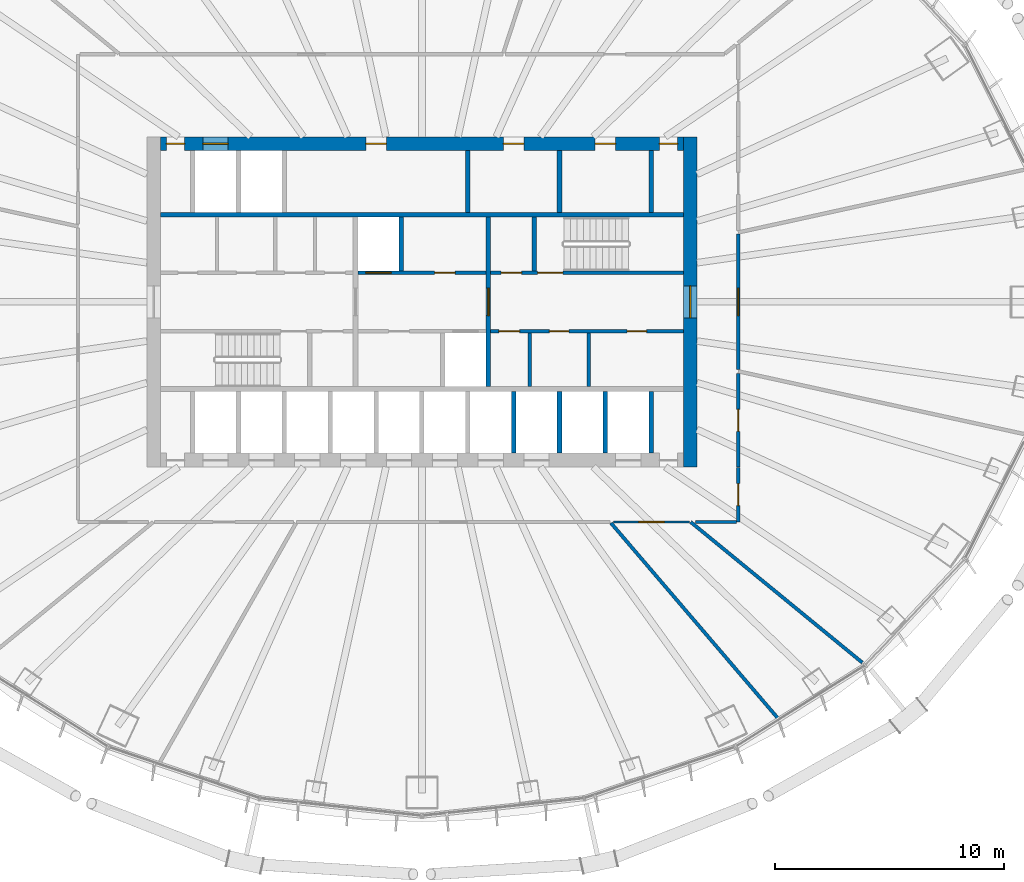
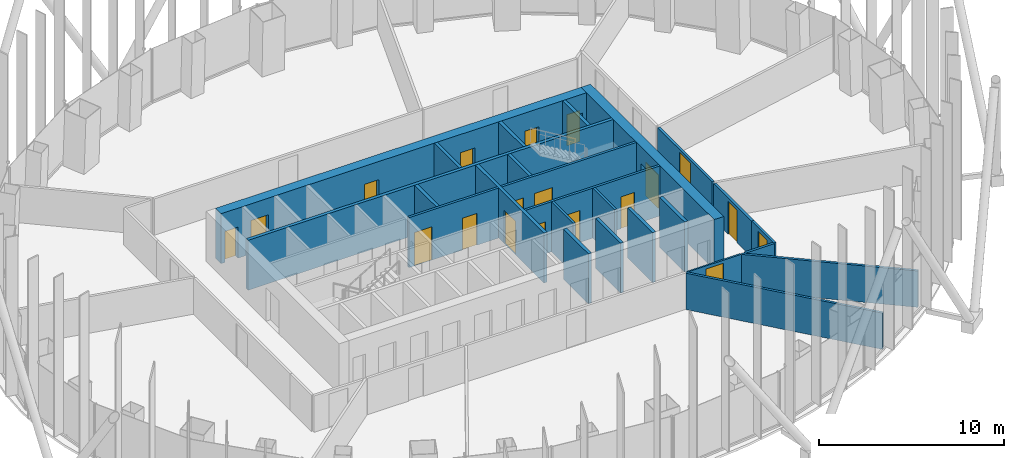
# One storey, part 8 of 19: 25 walls, 19 doors, 19 openings.
"""IFC4 building model written with IfcOpenShell, lengths in metres."""

from ifc_helpers import new_model, si_unit, direction, frame, frame_2d, origin, place, context, subcontext, project, spatial, rectangle, extrude, material, layer, layer_set, type_object, element, fill, save


model = new_model("IFC4")

# Units and contexts
model_context = context("Model", 3, precision=1e-05, world=origin(), true_north=direction((0.0, 1.0)))
body_context = subcontext(model_context, "Body", "Model", "MODEL_VIEW")
ifc_project = project(units=[si_unit("LENGTHUNIT", "METRE"), si_unit("AREAUNIT", "SQUARE_METRE"), si_unit("VOLUMEUNIT", "CUBIC_METRE"), si_unit("PLANEANGLEUNIT", "RADIAN"), si_unit("MASSUNIT", "GRAM", prefix="KILO")], contexts=[model_context])

# Site, building, storey
site_placement = place(None, origin())
site = spatial("IfcSite", under=ifc_project, at=site_placement, CompositionType="ELEMENT")
building_placement = place(site_placement, origin())
building = spatial("IfcBuilding", under=site, at=building_placement, Name="Siaravel Broadcast Tower", CompositionType="ELEMENT")
storey_placement = place(building_placement, frame((0.0, 0.0, 59.300048828125)))
storey = spatial("IfcBuildingStorey", under=building, at=storey_placement, Name="L13", CompositionType="ELEMENT", Elevation=59.300048828125)

# Walls
ifc_material_1 = material(Name="Concrete blockwork", Category="masonry")
ifc_layer_1 = layer(ifc_material_1, 0.14990234375)
ifc_layer_set_1 = layer_set([ifc_layer_1], Name="Concrete blockwork")
wall_type_1 = type_object("IfcWallType", Name="Core partition 150", PredefinedType="PARTITIONING", material=ifc_layer_set_1)
for number, where, z_axis, x_axis, name in (
    (1, (4.695068359375, -3.699951171875, 0.0), (0.0, 0.0, 1.0), (0.0, 1.0, 0.0), "L13 core partition PSE0"),
    (2, (7.27490234375, -3.699951171875, 0.0), (0.0, 0.0, 1.0), (0.0, 1.0, 0.0), "L13 core partition PSE1"),
):
    element("IfcWall", number, at=place(storey_placement, frame(where, z_axis=z_axis, x_axis=x_axis)), inside=storey, type_object=wall_type_1, Name=name, PredefinedType="PARTITIONING", context=body_context, shape_type="SweptSolid", body=[
        extrude(rectangle(XDim=2.349853515625, YDim=0.14990234375, at=frame_2d((1.1748046875, 0.0))), origin(), (0.0, 0.0, 1.0), 3.300048828125),
    ])
ifc_layer_2 = layer(ifc_material_1, 0.199951171875)
ifc_layer_set_2 = layer_set([ifc_layer_2], Name="Concrete blockwork")
wall_type_2 = type_object("IfcWallType", Name="Core partition 200", PredefinedType="PARTITIONING", material=ifc_layer_set_2)
for number, where, z_axis, x_axis, name in (
    (3, (2.0, 3.89990234375, 0.0), (0.0, 0.0, 1.0), (0.0, 1.0, 0.0), "L13 core partition PFN2"),
    (4, (6.0, 3.89990234375, 0.0), (0.0, 0.0, 1.0), (0.0, 1.0, 0.0), "L13 core partition PFN6"),
):
    element("IfcWall", number, at=place(storey_placement, frame(where, z_axis=z_axis, x_axis=x_axis)), inside=storey, type_object=wall_type_2, Name=name, PredefinedType="PARTITIONING", context=body_context, shape_type="SweptSolid", body=[
        extrude(rectangle(XDim=2.7001953125, YDim=0.199951171875, at=frame_2d((1.35009765625, 0.0))), origin(), (0.0, 0.0, 1.0), 3.300048828125),
    ])

# Wall, opening, door
ifc_material_2 = material(Name="Concrete C60/75", Category="concrete")
ifc_layer_3 = layer(ifc_material_2, 0.60009765625)
ifc_layer_set_3 = layer_set([ifc_layer_3], Name="Concrete C60/75")
wall_type_3 = type_object("IfcWallType", Name="Core wall 600", PredefinedType="SHEAR", material=ifc_layer_set_3)
wall_1_placement = place(storey_placement, frame((11.699951171875, -7.199951171875, 0.0), z_axis=(0.0, 0.0, 1.0), x_axis=(0.0, 1.0, 0.0)))
wall_1 = element("IfcWall", 5, at=wall_1_placement, inside=storey, type_object=wall_type_3, Name="L13 core wall OE", PredefinedType="SHEAR", context=body_context, shape_type="SweptSolid", body=[
    extrude(rectangle(XDim=14.39990234375, YDim=0.60009765625, at=frame_2d((7.199951171875, 0.0))), origin(), (0.0, 0.0, 1.0), 3.300048828125),
])
opening_1_placement = place(wall_1_placement, frame((6.5, 0.0, 0.0)))
opening_1 = element("IfcOpeningElement", 6, at=opening_1_placement, cuts=wall_1, Name="Opening L13-DX-E", PredefinedType="OPENING", context=body_context, shape_type="SweptSolid", body=[
    extrude(rectangle(XDim=1.39990234375, YDim=2.199951171875, at=frame_2d((0.699951171875, 1.10009765625))), frame((0.0, 0.31005859375, 0.0), z_axis=(0.0, -1.0, 0.0), x_axis=(1.0, 0.0, 0.0)), (0.0, 0.0, 1.0), 0.6201171875),
])
ifc_material_3 = material(Name="Steel", Category="steel")
door_type_1 = type_object("IfcDoorType", Name="Core exit door 1400", OperationType="DOUBLE_DOOR_SINGLE_SWING", PredefinedType="DOOR", material=ifc_material_3)
door_1_placement = place(opening_1_placement, origin())
door_1 = element("IfcDoor", 7, at=door_1_placement, inside=storey, type_object=door_type_1, Name="L13 door DX-E", OperationType="DOUBLE_DOOR_SINGLE_SWING", OverallHeight=2.199951171875, OverallWidth=1.39990234375, PredefinedType="DOOR", context=body_context, shape_type="SweptSolid", body=[
    extrude(rectangle(XDim=1.39990234375, YDim=2.199951171875, at=frame_2d((0.699951171875, 1.10009765625))), frame((0.0, 0.02490234375, 0.0), z_axis=(0.0, -1.0, 0.0), x_axis=(1.0, 0.0, 0.0)), (0.0, 0.0, 1.0), 0.050048828125),
])
fill(opening_1, door_1)

# Wall, openings, doors
wall_2_placement = place(storey_placement, frame((-11.39990234375, 6.89990234375, 0.0), z_axis=(0.0, 0.0, 1.0), x_axis=(1.0, 0.0, 0.0)))
wall_2 = element("IfcWall", 8, at=wall_2_placement, inside=storey, type_object=wall_type_3, Name="L13 core wall ON", PredefinedType="SHEAR", context=body_context, shape_type="SweptSolid", body=[
    extrude(rectangle(XDim=22.7998046875, YDim=0.60009765625, at=frame_2d((11.39990234375, 0.0))), origin(), (0.0, 0.0, 1.0), 3.300048828125),
])
opening_2_placement = place(wall_2_placement, frame((1.85009765625, 0.0, 0.0)))
opening_2 = element("IfcOpeningElement", 9, at=opening_2_placement, cuts=wall_2, Name="Opening LD-SV2-L13", PredefinedType="OPENING", context=body_context, shape_type="SweptSolid", body=[
    extrude(rectangle(XDim=1.10009765625, YDim=2.199951171875, at=frame_2d((0.550048828125, 1.10009765625))), frame((0.0, 0.31005859375, 0.0), z_axis=(0.0, -1.0, 0.0), x_axis=(1.0, 0.0, 0.0)), (0.0, 0.0, 1.0), 0.6201171875),
])
opening_3_placement = place(wall_2_placement, frame((8.949951171875, 0.0, 0.0)))
opening_3 = element("IfcOpeningElement", 10, at=opening_3_placement, cuts=wall_2, Name="Opening L13-DFN2", PredefinedType="OPENING", context=body_context, shape_type="SweptSolid", body=[
    extrude(rectangle(XDim=0.89990234375, YDim=2.10009765625, at=frame_2d((0.449951171875, 1.050048828125))), frame((0.0, 0.31005859375, 0.0), z_axis=(0.0, -1.0, 0.0), x_axis=(1.0, 0.0, 0.0)), (0.0, 0.0, 1.0), 0.6201171875),
])
opening_4_placement = place(wall_2_placement, frame((14.949951171875, 0.0, 0.0)))
opening_4 = element("IfcOpeningElement", 11, at=opening_4_placement, cuts=wall_2, Name="Opening L13-DFN6", PredefinedType="OPENING", context=body_context, shape_type="SweptSolid", body=[
    extrude(rectangle(XDim=0.89990234375, YDim=2.10009765625, at=frame_2d((0.449951171875, 1.050048828125))), frame((0.0, 0.31005859375, 0.0), z_axis=(0.0, -1.0, 0.0), x_axis=(1.0, 0.0, 0.0)), (0.0, 0.0, 1.0), 0.6201171875),
])
opening_5_placement = place(wall_2_placement, frame((18.949951171875, 0.0, 0.0)))
opening_5 = element("IfcOpeningElement", 12, at=opening_5_placement, cuts=wall_2, Name="Opening L13-DFN8", PredefinedType="OPENING", context=body_context, shape_type="SweptSolid", body=[
    extrude(rectangle(XDim=0.89990234375, YDim=2.10009765625, at=frame_2d((0.449951171875, 1.050048828125))), frame((0.0, 0.31005859375, 0.0), z_axis=(0.0, -1.0, 0.0), x_axis=(1.0, 0.0, 0.0)), (0.0, 0.0, 1.0), 0.6201171875),
])
opening_6_placement = place(wall_2_placement, frame((0.25, 0.0, 0.0)))
opening_6 = element("IfcOpeningElement", 13, at=opening_6_placement, cuts=wall_2, Name="Opening L13-DRNW", PredefinedType="OPENING", context=body_context, shape_type="SweptSolid", body=[
    extrude(rectangle(XDim=0.800048828125, YDim=2.050048828125, at=frame_2d((0.39990234375, 1.02490234375))), frame((0.0, 0.31005859375, 0.0), z_axis=(0.0, -1.0, 0.0), x_axis=(1.0, 0.0, 0.0)), (0.0, 0.0, 1.0), 0.6201171875),
])
opening_7_placement = place(wall_2_placement, frame((21.75, 0.0, 0.0)))
opening_7 = element("IfcOpeningElement", 14, at=opening_7_placement, cuts=wall_2, Name="Opening L13-DRNE", PredefinedType="OPENING", context=body_context, shape_type="SweptSolid", body=[
    extrude(rectangle(XDim=0.800048828125, YDim=2.050048828125, at=frame_2d((0.39990234375, 1.02490234375))), frame((0.0, 0.31005859375, 0.0), z_axis=(0.0, -1.0, 0.0), x_axis=(1.0, 0.0, 0.0)), (0.0, 0.0, 1.0), 0.6201171875),
])
ifc_material_4 = material(Name="Timber veneer", Category="wood")
door_type_2 = type_object("IfcDoorType", Name="Core room door 900", OperationType="SINGLE_SWING_LEFT", PredefinedType="DOOR", material=ifc_material_4)
door_2_placement = place(opening_3_placement, origin())
door_2 = element("IfcDoor", 15, at=door_2_placement, inside=storey, type_object=door_type_2, Name="L13 door DFN2", OperationType="SINGLE_SWING_LEFT", OverallHeight=2.10009765625, OverallWidth=0.89990234375, PredefinedType="DOOR", context=body_context, shape_type="SweptSolid", body=[
    extrude(rectangle(XDim=0.89990234375, YDim=2.10009765625, at=frame_2d((0.449951171875, 1.050048828125))), frame((0.0, 0.02490234375, 0.0), z_axis=(0.0, -1.0, 0.0), x_axis=(1.0, 0.0, 0.0)), (0.0, 0.0, 1.0), 0.050048828125),
])
fill(opening_3, door_2)
door_3_placement = place(opening_4_placement, origin())
door_3 = element("IfcDoor", 16, at=door_3_placement, inside=storey, type_object=door_type_2, Name="L13 door DFN6", OperationType="SINGLE_SWING_LEFT", OverallHeight=2.10009765625, OverallWidth=0.89990234375, PredefinedType="DOOR", context=body_context, shape_type="SweptSolid", body=[
    extrude(rectangle(XDim=0.89990234375, YDim=2.10009765625, at=frame_2d((0.449951171875, 1.050048828125))), frame((0.0, 0.02490234375, 0.0), z_axis=(0.0, -1.0, 0.0), x_axis=(1.0, 0.0, 0.0)), (0.0, 0.0, 1.0), 0.050048828125),
])
fill(opening_4, door_3)
door_4_placement = place(opening_5_placement, origin())
door_4 = element("IfcDoor", 17, at=door_4_placement, inside=storey, type_object=door_type_2, Name="L13 door DFN8", OperationType="SINGLE_SWING_LEFT", OverallHeight=2.10009765625, OverallWidth=0.89990234375, PredefinedType="DOOR", context=body_context, shape_type="SweptSolid", body=[
    extrude(rectangle(XDim=0.89990234375, YDim=2.10009765625, at=frame_2d((0.449951171875, 1.050048828125))), frame((0.0, 0.02490234375, 0.0), z_axis=(0.0, -1.0, 0.0), x_axis=(1.0, 0.0, 0.0)), (0.0, 0.0, 1.0), 0.050048828125),
])
fill(opening_5, door_4)
door_type_3 = type_object("IfcDoorType", Name="Riser door 800", OperationType="SINGLE_SWING_LEFT", PredefinedType="DOOR", material=ifc_material_3)
door_5_placement = place(opening_6_placement, origin())
door_5 = element("IfcDoor", 18, at=door_5_placement, inside=storey, type_object=door_type_3, Name="L13 door DRNW", OperationType="SINGLE_SWING_LEFT", OverallHeight=2.050048828125, OverallWidth=0.800048828125, PredefinedType="DOOR", context=body_context, shape_type="SweptSolid", body=[
    extrude(rectangle(XDim=0.800048828125, YDim=2.050048828125, at=frame_2d((0.39990234375, 1.02490234375))), frame((0.0, 0.02490234375, 0.0), z_axis=(0.0, -1.0, 0.0), x_axis=(1.0, 0.0, 0.0)), (0.0, 0.0, 1.0), 0.050048828125),
])
fill(opening_6, door_5)
door_6_placement = place(opening_7_placement, origin())
door_6 = element("IfcDoor", 19, at=door_6_placement, inside=storey, type_object=door_type_3, Name="L13 door DRNE", OperationType="SINGLE_SWING_LEFT", OverallHeight=2.050048828125, OverallWidth=0.800048828125, PredefinedType="DOOR", context=body_context, shape_type="SweptSolid", body=[
    extrude(rectangle(XDim=0.800048828125, YDim=2.050048828125, at=frame_2d((0.39990234375, 1.02490234375))), frame((0.0, 0.02490234375, 0.0), z_axis=(0.0, -1.0, 0.0), x_axis=(1.0, 0.0, 0.0)), (0.0, 0.0, 1.0), 0.050048828125),
])
fill(opening_7, door_6)
ifc_material_5 = material(Name="Stainless steel 316L", Category="steel")
door_type_4 = type_object("IfcDoorType", Name="Service lift landing door 1100", OperationType="DOUBLE_DOOR_SLIDING", PredefinedType="DOOR", material=ifc_material_5)
door_7_placement = place(opening_2_placement, origin())
door_7 = element("IfcDoor", 20, at=door_7_placement, inside=storey, type_object=door_type_4, Name="Landing door SV2 L13", OperationType="DOUBLE_DOOR_SLIDING", OverallHeight=2.199951171875, OverallWidth=1.10009765625, PredefinedType="DOOR", context=body_context, shape_type="SweptSolid", body=[
    extrude(rectangle(XDim=1.10009765625, YDim=2.199951171875, at=frame_2d((0.550048828125, 1.10009765625))), frame((0.0, 0.02490234375, 0.0), z_axis=(0.0, -1.0, 0.0), x_axis=(1.0, 0.0, 0.0)), (0.0, 0.0, 1.0), 0.050048828125),
])
fill(opening_2, door_7)

ifc_material_6 = material(Name="Gypsum board partition", Category="gypsum")
ifc_layer_4 = layer(ifc_material_6, 0.14990234375)
ifc_layer_set_4 = layer_set([ifc_layer_4], Name="Gypsum board partition")
wall_type_4 = type_object("IfcWallType", Name="Corridor wall 150", PredefinedType="PARTITIONING", material=ifc_layer_set_4)
wall_3_placement = place(storey_placement, frame((3.0, -1.27490234375, 0.0), z_axis=(0.0, 0.0, 1.0), x_axis=(1.0, 0.0, 0.0)))
wall_3 = element("IfcWall", 21, at=wall_3_placement, inside=storey, type_object=wall_type_4, Name="L13 core partition CSE", PredefinedType="PARTITIONING", context=body_context, shape_type="SweptSolid", body=[
    extrude(rectangle(XDim=8.39990234375, YDim=0.14990234375, at=frame_2d((4.199951171875, 0.0))), origin(), (0.0, 0.0, 1.0), 3.300048828125),
])
opening_8_placement = place(wall_3_placement, frame((0.360107421875, 0.0, 0.0)))
opening_8 = element("IfcOpeningElement", 22, at=opening_8_placement, cuts=wall_3, Name="Opening L13-DSE0", PredefinedType="OPENING", context=body_context, shape_type="SweptSolid", body=[
    extrude(rectangle(XDim=0.89990234375, YDim=2.10009765625, at=frame_2d((0.449951171875, 1.050048828125))), frame((0.0, 0.0849609375, 0.0), z_axis=(0.0, -1.0, 0.0), x_axis=(1.0, 0.0, 0.0)), (0.0, 0.0, 1.0), 0.169921875),
])
opening_9_placement = place(wall_3_placement, frame((2.56005859375, 0.0, 0.0)))
opening_9 = element("IfcOpeningElement", 23, at=opening_9_placement, cuts=wall_3, Name="Opening L13-DSE1", PredefinedType="OPENING", context=body_context, shape_type="SweptSolid", body=[
    extrude(rectangle(XDim=0.85009765625, YDim=2.10009765625, at=frame_2d((0.425048828125, 1.050048828125))), frame((0.0, 0.0849609375, 0.0), z_axis=(0.0, -1.0, 0.0), x_axis=(1.0, 0.0, 0.0)), (0.0, 0.0, 1.0), 0.169921875),
])
opening_10_placement = place(wall_3_placement, frame((5.949951171875, 0.0, 0.0)))
opening_10 = element("IfcOpeningElement", 24, at=opening_10_placement, cuts=wall_3, Name="Opening L13-DSE2", PredefinedType="OPENING", context=body_context, shape_type="SweptSolid", body=[
    extrude(rectangle(XDim=0.85009765625, YDim=2.10009765625, at=frame_2d((0.425048828125, 1.050048828125))), frame((0.0, 0.0849609375, 0.0), z_axis=(0.0, -1.0, 0.0), x_axis=(1.0, 0.0, 0.0)), (0.0, 0.0, 1.0), 0.169921875),
])
door_8_placement = place(opening_8_placement, origin())
door_8 = element("IfcDoor", 25, at=door_8_placement, inside=storey, type_object=door_type_2, Name="L13 door DSE0", OperationType="SINGLE_SWING_LEFT", OverallHeight=2.10009765625, OverallWidth=0.89990234375, PredefinedType="DOOR", context=body_context, shape_type="SweptSolid", body=[
    extrude(rectangle(XDim=0.89990234375, YDim=2.10009765625, at=frame_2d((0.449951171875, 1.050048828125))), frame((0.0, 0.02490234375, 0.0), z_axis=(0.0, -1.0, 0.0), x_axis=(1.0, 0.0, 0.0)), (0.0, 0.0, 1.0), 0.050048828125),
])
fill(opening_8, door_8)
door_type_5 = type_object("IfcDoorType", Name="Core toilet door 850", OperationType="SINGLE_SWING_LEFT", PredefinedType="DOOR", material=ifc_material_4)
door_9_placement = place(opening_9_placement, origin())
door_9 = element("IfcDoor", 26, at=door_9_placement, inside=storey, type_object=door_type_5, Name="L13 door DSE1", OperationType="SINGLE_SWING_LEFT", OverallHeight=2.10009765625, OverallWidth=0.85009765625, PredefinedType="DOOR", context=body_context, shape_type="SweptSolid", body=[
    extrude(rectangle(XDim=0.85009765625, YDim=2.10009765625, at=frame_2d((0.425048828125, 1.050048828125))), frame((0.0, 0.02490234375, 0.0), z_axis=(0.0, -1.0, 0.0), x_axis=(1.0, 0.0, 0.0)), (0.0, 0.0, 1.0), 0.050048828125),
])
fill(opening_9, door_9)
door_10_placement = place(opening_10_placement, origin())
door_10 = element("IfcDoor", 27, at=door_10_placement, inside=storey, type_object=door_type_5, Name="L13 door DSE2", OperationType="SINGLE_SWING_LEFT", OverallHeight=2.10009765625, OverallWidth=0.85009765625, PredefinedType="DOOR", context=body_context, shape_type="SweptSolid", body=[
    extrude(rectangle(XDim=0.85009765625, YDim=2.10009765625, at=frame_2d((0.425048828125, 1.050048828125))), frame((0.0, 0.02490234375, 0.0), z_axis=(0.0, -1.0, 0.0), x_axis=(1.0, 0.0, 0.0)), (0.0, 0.0, 1.0), 0.050048828125),
])
fill(opening_10, door_10)

# Wall, opening, door
wall_4_placement = place(storey_placement, frame((13.800048828125, -2.95361328125, 0.0), z_axis=(0.0, 0.0, 1.0), x_axis=(0.0, 1.0, 0.0)))
wall_4 = element("IfcWall", 28, at=wall_4_placement, inside=storey, type_object=wall_type_4, Name="L13 partition 16", PredefinedType="PARTITIONING", context=body_context, shape_type="SweptSolid", body=[
    extrude(rectangle(XDim=5.9072265625, YDim=0.14990234375, at=frame_2d((2.95361328125, 0.0))), origin(), (0.0, 0.0, 1.0), 2.39990234375),
])
opening_11_placement = place(wall_4_placement, frame((2.353515625, 0.0, 0.0)))
opening_11 = element("IfcOpeningElement", 29, at=opening_11_placement, cuts=wall_4, Name="Opening L13-003", PredefinedType="OPENING", context=body_context, shape_type="SweptSolid", body=[
    extrude(rectangle(XDim=1.199951171875, YDim=2.199951171875, at=frame_2d((0.60009765625, 1.10009765625))), frame((0.0, 0.0849609375, 0.0), z_axis=(0.0, -1.0, 0.0), x_axis=(1.0, 0.0, 0.0)), (0.0, 0.0, 1.0), 0.169921875),
])
door_type_6 = type_object("IfcDoorType", Name="Office double door 1200", OperationType="DOUBLE_DOOR_SINGLE_SWING", PredefinedType="DOOR", material=ifc_material_4)
door_11_placement = place(opening_11_placement, origin())
door_11 = element("IfcDoor", 30, at=door_11_placement, inside=storey, type_object=door_type_6, Name="L13 door to Newsroom desk office", OperationType="DOUBLE_DOOR_SINGLE_SWING", OverallHeight=2.199951171875, OverallWidth=1.199951171875, PredefinedType="DOOR", context=body_context, shape_type="SweptSolid", body=[
    extrude(rectangle(XDim=1.199951171875, YDim=2.199951171875, at=frame_2d((0.60009765625, 1.10009765625))), frame((0.0, 0.02490234375, 0.0), z_axis=(0.0, -1.0, 0.0), x_axis=(1.0, 0.0, 0.0)), (0.0, 0.0, 1.0), 0.050048828125),
])
fill(opening_11, door_11)

wall_5_placement = place(storey_placement, frame((13.800048828125, -7.2119140625, 0.0), z_axis=(0.0, 0.0, 1.0), x_axis=(0.0, 1.0, 0.0)))
wall_5 = element("IfcWall", 31, at=wall_5_placement, inside=storey, type_object=wall_type_4, Name="L13 partition 17", PredefinedType="PARTITIONING", context=body_context, shape_type="SweptSolid", body=[
    extrude(rectangle(XDim=4.087890625, YDim=0.14990234375, at=frame_2d((2.0439453125, 0.0))), origin(), (0.0, 0.0, 1.0), 2.39990234375),
])
opening_12_placement = place(wall_5_placement, frame((1.569091796875, 0.0, 0.0)))
opening_12 = element("IfcOpeningElement", 32, at=opening_12_placement, cuts=wall_5, Name="Opening L13-001", PredefinedType="OPENING", context=body_context, shape_type="SweptSolid", body=[
    extrude(rectangle(XDim=0.949951171875, YDim=2.14990234375, at=frame_2d((0.47509765625, 1.074951171875))), frame((0.0, 0.0849609375, 0.0), z_axis=(0.0, -1.0, 0.0), x_axis=(1.0, 0.0, 0.0)), (0.0, 0.0, 1.0), 0.169921875),
])
door_type_7 = type_object("IfcDoorType", Name="Office door 950", OperationType="SINGLE_SWING_LEFT", PredefinedType="DOOR", material=ifc_material_4)
door_12_placement = place(opening_12_placement, origin())
door_12 = element("IfcDoor", 33, at=door_12_placement, inside=storey, type_object=door_type_7, Name="L13 door to Graphics studio", OperationType="SINGLE_SWING_LEFT", OverallHeight=2.14990234375, OverallWidth=0.949951171875, PredefinedType="DOOR", context=body_context, shape_type="SweptSolid", body=[
    extrude(rectangle(XDim=0.949951171875, YDim=2.14990234375, at=frame_2d((0.47509765625, 1.074951171875))), frame((0.0, 0.02490234375, 0.0), z_axis=(0.0, -1.0, 0.0), x_axis=(1.0, 0.0, 0.0)), (0.0, 0.0, 1.0), 0.050048828125),
])
fill(opening_12, door_12)

wall_6_placement = place(storey_placement, frame((13.800048828125, -9.60009765625, 0.0), z_axis=(0.0, 0.0, 1.0), x_axis=(0.0, 1.0, 0.0)))
wall_6 = element("IfcWall", 34, at=wall_6_placement, inside=storey, type_object=wall_type_4, Name="L13 partition 25", PredefinedType="PARTITIONING", context=body_context, shape_type="SweptSolid", body=[
    extrude(rectangle(XDim=2.38720703125, YDim=0.14990234375, at=frame_2d((1.193603515625, 0.0))), origin(), (0.0, 0.0, 1.0), 2.39990234375),
])
opening_13_placement = place(wall_6_placement, frame((0.718505859375, 0.0, 0.0)))
opening_13 = element("IfcOpeningElement", 35, at=opening_13_placement, cuts=wall_6, Name="Opening L13-002", PredefinedType="OPENING", context=body_context, shape_type="SweptSolid", body=[
    extrude(rectangle(XDim=0.949951171875, YDim=2.14990234375, at=frame_2d((0.47509765625, 1.074951171875))), frame((0.0, 0.0849609375, 0.0), z_axis=(0.0, -1.0, 0.0), x_axis=(1.0, 0.0, 0.0)), (0.0, 0.0, 1.0), 0.169921875),
])
door_13_placement = place(opening_13_placement, origin())
door_13 = element("IfcDoor", 36, at=door_13_placement, inside=storey, type_object=door_type_7, Name="L13 door to Graphics studio", OperationType="SINGLE_SWING_RIGHT", OverallHeight=2.14990234375, OverallWidth=0.949951171875, PredefinedType="DOOR", context=body_context, shape_type="SweptSolid", body=[
    extrude(rectangle(XDim=0.949951171875, YDim=2.14990234375, at=frame_2d((0.47509765625, 1.074951171875))), frame((0.0, 0.02490234375, 0.0), z_axis=(0.0, -1.0, 0.0), x_axis=(1.0, 0.0, 0.0)), (0.0, 0.0, 1.0), 0.050048828125),
])
fill(opening_13, door_13)

# Wall
wall_7_placement = place(storey_placement, frame((11.931884765625, -9.60009765625, 0.0), z_axis=(0.0, 0.0, 1.0), x_axis=(1.0, 0.0, 0.0)))
element("IfcWall", 37, at=wall_7_placement, inside=storey, type_object=wall_type_4, Name="L13 partition 26", PredefinedType="PARTITIONING", context=body_context, shape_type="SweptSolid", body=[
    extrude(rectangle(XDim=1.791015625, YDim=0.14990234375, at=frame_2d((0.8955078125, 0.0))), origin(), (0.0, 0.0, 1.0), 2.39990234375),
])

# Wall, opening, door
ifc_material_7 = material(Name="Glazed aluminium partition", Category="aluminium")
ifc_layer_5 = layer(ifc_material_7, 0.10009765625)
ifc_layer_set_5 = layer_set([ifc_layer_5], Name="Glazed aluminium partition")
wall_type_5 = type_object("IfcWallType", Name="Glazed meeting room partition 100", PredefinedType="PARTITIONING", material=ifc_layer_set_5)
wall_8_placement = place(storey_placement, frame((8.349853515625, -9.60009765625, 0.0), z_axis=(0.0, 0.0, 1.0), x_axis=(1.0, 0.0, 0.0)))
wall_8 = element("IfcWall", 38, at=wall_8_placement, inside=storey, type_object=wall_type_5, Name="L13 partition 22", PredefinedType="PARTITIONING", context=body_context, shape_type="SweptSolid", body=[
    extrude(rectangle(XDim=3.3271484375, YDim=0.10009765625, at=frame_2d((1.66357421875, 0.0))), origin(), (0.0, 0.0, 1.0), 2.39990234375),
])
opening_14_placement = place(wall_8_placement, frame((1.113525390625, 0.0, 0.0)))
opening_14 = element("IfcOpeningElement", 39, at=opening_14_placement, cuts=wall_8, Name="Opening L13-013", PredefinedType="OPENING", context=body_context, shape_type="SweptSolid", body=[
    extrude(rectangle(XDim=1.10009765625, YDim=2.199951171875, at=frame_2d((0.550048828125, 1.10009765625))), frame((0.0, 0.06005859375, 0.0), z_axis=(0.0, -1.0, 0.0), x_axis=(1.0, 0.0, 0.0)), (0.0, 0.0, 1.0), 0.1201171875),
])
door_type_8 = type_object("IfcDoorType", Name="Meeting room door 1100", OperationType="SINGLE_SWING_LEFT", PredefinedType="DOOR", material=ifc_material_4)
door_14_placement = place(opening_14_placement, origin())
door_14 = element("IfcDoor", 40, at=door_14_placement, inside=storey, type_object=door_type_8, Name="L13 door to Meeting room", OperationType="SINGLE_SWING_LEFT", OverallHeight=2.199951171875, OverallWidth=1.10009765625, PredefinedType="DOOR", context=body_context, shape_type="SweptSolid", body=[
    extrude(rectangle(XDim=1.10009765625, YDim=2.199951171875, at=frame_2d((0.550048828125, 1.10009765625))), frame((0.0, 0.02490234375, 0.0), z_axis=(0.0, -1.0, 0.0), x_axis=(1.0, 0.0, 0.0)), (0.0, 0.0, 1.0), 0.050048828125),
])
fill(opening_14, door_14)

# Walls
ifc_layer_6 = layer(ifc_material_6, 0.14990234375)
ifc_layer_set_6 = layer_set([ifc_layer_6], Name="Gypsum board partition")
wall_type_6 = type_object("IfcWallType", Name="Room partition 150", PredefinedType="PARTITIONING", material=ifc_layer_set_6)
wall_9_placement = place(storey_placement, frame((15.577392578125, -18.22265625, 0.0), z_axis=(0.0, 0.0, 1.0), x_axis=(-0.649782359, 0.76012031, 0.0)))
element("IfcWall", 41, at=wall_9_placement, inside=storey, type_object=wall_type_6, Name="L13 partition 7", PredefinedType="PARTITIONING", context=body_context, shape_type="SweptSolid", body=[
    extrude(rectangle(XDim=11.28466796875, YDim=0.14990234375, at=frame_2d((5.642333984375, 0.0))), origin(), (0.0, 0.0, 1.0), 2.39990234375),
])
wall_10_placement = place(storey_placement, frame((11.72021484375, -9.60009765625, 0.0), z_axis=(0.0, 0.0, 1.0), x_axis=(0.77360313, -0.633670417, 0.0)))
element("IfcWall", 42, at=wall_10_placement, inside=storey, type_object=wall_type_6, Name="L13 partition 11", PredefinedType="PARTITIONING", context=body_context, shape_type="SweptSolid", body=[
    extrude(rectangle(XDim=9.677734375, YDim=0.14990234375, at=frame_2d((4.8388671875, 0.0))), origin(), (0.0, 0.0, 1.0), 2.39990234375),
])

# Wall, openings, doors
ifc_layer_7 = layer(ifc_material_2, 0.14990234375)
ifc_layer_set_7 = layer_set([ifc_layer_7], Name="Concrete C60/75")
wall_type_7 = type_object("IfcWallType", Name="Shaft wall 150", PredefinedType="SHEAR", material=ifc_layer_set_7)
wall_11_placement = place(storey_placement, frame((-2.800048828125, 1.27490234375, 0.0), z_axis=(0.0, 0.0, 1.0), x_axis=(1.0, 0.0, 0.0)))
wall_11 = element("IfcWall", 43, at=wall_11_placement, inside=storey, type_object=wall_type_7, Name="L13 core wall CNM", PredefinedType="SHEAR", context=body_context, shape_type="SweptSolid", body=[
    extrude(rectangle(XDim=5.60009765625, YDim=0.14990234375, at=frame_2d((2.800048828125, 0.0))), origin(), (0.0, 0.0, 1.0), 3.300048828125),
])
opening_15_placement = place(wall_11_placement, frame((0.35009765625, 0.0, 0.0)))
opening_15 = element("IfcOpeningElement", 44, at=opening_15_placement, cuts=wall_11, Name="Opening LD-FL1-L13", PredefinedType="OPENING", context=body_context, shape_type="SweptSolid", body=[
    extrude(rectangle(XDim=1.10009765625, YDim=2.199951171875, at=frame_2d((0.550048828125, 1.10009765625))), frame((0.0, 0.0849609375, 0.0), z_axis=(0.0, -1.0, 0.0), x_axis=(1.0, 0.0, 0.0)), (0.0, 0.0, 1.0), 0.169921875),
])
opening_16_placement = place(wall_11_placement, frame((3.35009765625, 0.0, 0.0)))
opening_16 = element("IfcOpeningElement", 45, at=opening_16_placement, cuts=wall_11, Name="Opening L13-DNM0", PredefinedType="OPENING", context=body_context, shape_type="SweptSolid", body=[
    extrude(rectangle(XDim=0.89990234375, YDim=2.10009765625, at=frame_2d((0.449951171875, 1.050048828125))), frame((0.0, 0.0849609375, 0.0), z_axis=(0.0, -1.0, 0.0), x_axis=(1.0, 0.0, 0.0)), (0.0, 0.0, 1.0), 0.169921875),
])
door_15_placement = place(opening_16_placement, origin())
door_15 = element("IfcDoor", 46, at=door_15_placement, inside=storey, type_object=door_type_2, Name="L13 door DNM0", OperationType="SINGLE_SWING_LEFT", OverallHeight=2.10009765625, OverallWidth=0.89990234375, PredefinedType="DOOR", context=body_context, shape_type="SweptSolid", body=[
    extrude(rectangle(XDim=0.89990234375, YDim=2.10009765625, at=frame_2d((0.449951171875, 1.050048828125))), frame((0.0, 0.02490234375, 0.0), z_axis=(0.0, -1.0, 0.0), x_axis=(1.0, 0.0, 0.0)), (0.0, 0.0, 1.0), 0.050048828125),
])
fill(opening_16, door_15)
door_type_9 = type_object("IfcDoorType", Name="Firefighting lift landing door 1100", OperationType="DOUBLE_DOOR_SLIDING", PredefinedType="DOOR", material=ifc_material_5)
door_16_placement = place(opening_15_placement, origin())
door_16 = element("IfcDoor", 47, at=door_16_placement, inside=storey, type_object=door_type_9, Name="Landing door FL1 L13", OperationType="DOUBLE_DOOR_SLIDING", OverallHeight=2.199951171875, OverallWidth=1.10009765625, PredefinedType="DOOR", context=body_context, shape_type="SweptSolid", body=[
    extrude(rectangle(XDim=1.10009765625, YDim=2.199951171875, at=frame_2d((0.550048828125, 1.10009765625))), frame((0.0, 0.02490234375, 0.0), z_axis=(0.0, -1.0, 0.0), x_axis=(1.0, 0.0, 0.0)), (0.0, 0.0, 1.0), 0.050048828125),
])
fill(opening_15, door_16)

wall_12_placement = place(storey_placement, frame((3.0, 1.27490234375, 0.0), z_axis=(0.0, 0.0, 1.0), x_axis=(1.0, 0.0, 0.0)))
wall_12 = element("IfcWall", 48, at=wall_12_placement, inside=storey, type_object=wall_type_7, Name="L13 core wall CNE", PredefinedType="SHEAR", context=body_context, shape_type="SweptSolid", body=[
    extrude(rectangle(XDim=8.39990234375, YDim=0.14990234375, at=frame_2d((4.199951171875, 0.0))), origin(), (0.0, 0.0, 1.0), 3.300048828125),
])
opening_17_placement = place(wall_12_placement, frame((2.050048828125, 0.0, 0.0)))
opening_17 = element("IfcOpeningElement", 49, at=opening_17_placement, cuts=wall_12, Name="Opening L13-DS-2", PredefinedType="OPENING", context=body_context, shape_type="SweptSolid", body=[
    extrude(rectangle(XDim=1.10009765625, YDim=2.14990234375, at=frame_2d((0.550048828125, 1.074951171875))), frame((0.0, 0.0849609375, 0.0), z_axis=(0.0, -1.0, 0.0), x_axis=(1.0, 0.0, 0.0)), (0.0, 0.0, 1.0), 0.169921875),
])
opening_18_placement = place(wall_12_placement, frame((0.449951171875, 0.0, 0.0)))
opening_18 = element("IfcOpeningElement", 50, at=opening_18_placement, cuts=wall_12, Name="Opening L13-DNE0", PredefinedType="OPENING", context=body_context, shape_type="SweptSolid", body=[
    extrude(rectangle(XDim=0.89990234375, YDim=2.10009765625, at=frame_2d((0.449951171875, 1.050048828125))), frame((0.0, 0.0849609375, 0.0), z_axis=(0.0, -1.0, 0.0), x_axis=(1.0, 0.0, 0.0)), (0.0, 0.0, 1.0), 0.169921875),
])
door_17_placement = place(opening_18_placement, origin())
door_17 = element("IfcDoor", 51, at=door_17_placement, inside=storey, type_object=door_type_2, Name="L13 door DNE0", OperationType="SINGLE_SWING_LEFT", OverallHeight=2.10009765625, OverallWidth=0.89990234375, PredefinedType="DOOR", context=body_context, shape_type="SweptSolid", body=[
    extrude(rectangle(XDim=0.89990234375, YDim=2.10009765625, at=frame_2d((0.449951171875, 1.050048828125))), frame((0.0, 0.02490234375, 0.0), z_axis=(0.0, -1.0, 0.0), x_axis=(1.0, 0.0, 0.0)), (0.0, 0.0, 1.0), 0.050048828125),
])
fill(opening_18, door_17)
door_type_10 = type_object("IfcDoorType", Name="Stair door 1100", OperationType="SINGLE_SWING_LEFT", PredefinedType="DOOR", material=ifc_material_3)
door_18_placement = place(opening_17_placement, origin())
door_18 = element("IfcDoor", 52, at=door_18_placement, inside=storey, type_object=door_type_10, Name="L13 door DS-2", OperationType="SINGLE_SWING_LEFT", OverallHeight=2.14990234375, OverallWidth=1.10009765625, PredefinedType="DOOR", context=body_context, shape_type="SweptSolid", body=[
    extrude(rectangle(XDim=1.10009765625, YDim=2.14990234375, at=frame_2d((0.550048828125, 1.074951171875))), frame((0.0, 0.02490234375, 0.0), z_axis=(0.0, -1.0, 0.0), x_axis=(1.0, 0.0, 0.0)), (0.0, 0.0, 1.0), 0.050048828125),
])
fill(opening_17, door_18)

# Walls
ifc_layer_8 = layer(ifc_material_2, 0.199951171875)
ifc_layer_set_8 = layer_set([ifc_layer_8], Name="Concrete C60/75")
wall_type_8 = type_object("IfcWallType", Name="Shaft wall 200", PredefinedType="SHEAR", material=ifc_layer_set_8)
wall_13_placement = place(storey_placement, frame((-11.39990234375, 3.800048828125, 0.0), z_axis=(0.0, 0.0, 1.0), x_axis=(1.0, 0.0, 0.0)))
element("IfcWall", 53, at=wall_13_placement, inside=storey, type_object=wall_type_8, Name="L13 core wall BN", PredefinedType="SHEAR", context=body_context, shape_type="SweptSolid", body=[
    extrude(rectangle(XDim=22.7998046875, YDim=0.199951171875, at=frame_2d((11.39990234375, 0.0))), origin(), (0.0, 0.0, 1.0), 3.300048828125),
])
for number, where, z_axis, x_axis, name in (
    (54, (4.0, -6.60009765625, 0.0), (0.0, 0.0, 1.0), (0.0, 1.0, 0.0), "L13 core wall SWS7"),
    (55, (6.0, -6.60009765625, 0.0), (0.0, 0.0, 1.0), (0.0, 1.0, 0.0), "L13 core wall SWS8"),
    (56, (8.0, -6.60009765625, 0.0), (0.0, 0.0, 1.0), (0.0, 1.0, 0.0), "L13 core wall SWS9"),
    (57, (10.0, -6.60009765625, 0.0), (0.0, 0.0, 1.0), (0.0, 1.0, 0.0), "L13 core wall SWS10"),
    (58, (10.0, 3.89990234375, 0.0), (0.0, 0.0, 1.0), (0.0, 1.0, 0.0), "L13 core wall SWN10"),
):
    element("IfcWall", number, at=place(storey_placement, frame(where, z_axis=z_axis, x_axis=x_axis)), inside=storey, type_object=wall_type_8, Name=name, PredefinedType="SHEAR", context=body_context, shape_type="SweptSolid", body=[
        extrude(rectangle(XDim=2.7001953125, YDim=0.199951171875, at=frame_2d((1.35009765625, 0.0))), origin(), (0.0, 0.0, 1.0), 3.300048828125),
    ])

# Wall, opening, door
wall_14_placement = place(storey_placement, frame((2.89990234375, -3.699951171875, 0.0), z_axis=(0.0, 0.0, 1.0), x_axis=(0.0, 1.0, 0.0)))
wall_14 = element("IfcWall", 59, at=wall_14_placement, inside=storey, type_object=wall_type_8, Name="L13 core wall LE", PredefinedType="SHEAR", context=body_context, shape_type="SweptSolid", body=[
    extrude(rectangle(XDim=7.39990234375, YDim=0.199951171875, at=frame_2d((3.699951171875, 0.0))), origin(), (0.0, 0.0, 1.0), 3.300048828125),
])
opening_19_placement = place(wall_14_placement, frame((3.10009765625, 0.0, 0.0)))
opening_19 = element("IfcOpeningElement", 60, at=opening_19_placement, cuts=wall_14, Name="Opening L13-DL-E", PredefinedType="OPENING", context=body_context, shape_type="SweptSolid", body=[
    extrude(rectangle(XDim=1.199951171875, YDim=2.199951171875, at=frame_2d((0.60009765625, 1.10009765625))), frame((0.0, 0.10986328125, 0.0), z_axis=(0.0, -1.0, 0.0), x_axis=(1.0, 0.0, 0.0)), (0.0, 0.0, 1.0), 0.219970703125),
])
door_type_11 = type_object("IfcDoorType", Name="Firefighting lobby door 1200", OperationType="SINGLE_SWING_LEFT", PredefinedType="DOOR", material=ifc_material_3)
door_19_placement = place(opening_19_placement, origin())
door_19 = element("IfcDoor", 61, at=door_19_placement, inside=storey, type_object=door_type_11, Name="L13 door DL-E", OperationType="SINGLE_SWING_LEFT", OverallHeight=2.199951171875, OverallWidth=1.199951171875, PredefinedType="DOOR", context=body_context, shape_type="SweptSolid", body=[
    extrude(rectangle(XDim=1.199951171875, YDim=2.199951171875, at=frame_2d((0.60009765625, 1.10009765625))), frame((0.0, 0.02490234375, 0.0), z_axis=(0.0, -1.0, 0.0), x_axis=(1.0, 0.0, 0.0)), (0.0, 0.0, 1.0), 0.050048828125),
])
fill(opening_19, door_19)

# Walls
for number, where, z_axis, x_axis, name in (
    (62, (-0.89990234375, 1.35009765625, 0.0), (0.0, 0.0, 1.0), (0.0, 1.0, 0.0), "L13 core wall FF1E"),
    (63, (4.89990234375, 1.35009765625, 0.0), (0.0, 0.0, 1.0), (0.0, 1.0, 0.0), "L13 core wall ST2W"),
):
    element("IfcWall", number, at=place(storey_placement, frame(where, z_axis=z_axis, x_axis=x_axis)), inside=storey, type_object=wall_type_8, Name=name, PredefinedType="SHEAR", context=body_context, shape_type="SweptSolid", body=[
        extrude(rectangle(XDim=2.349853515625, YDim=0.199951171875, at=frame_2d((1.1748046875, 0.0))), origin(), (0.0, 0.0, 1.0), 3.300048828125),
    ])

save(model, "model.ifc")
